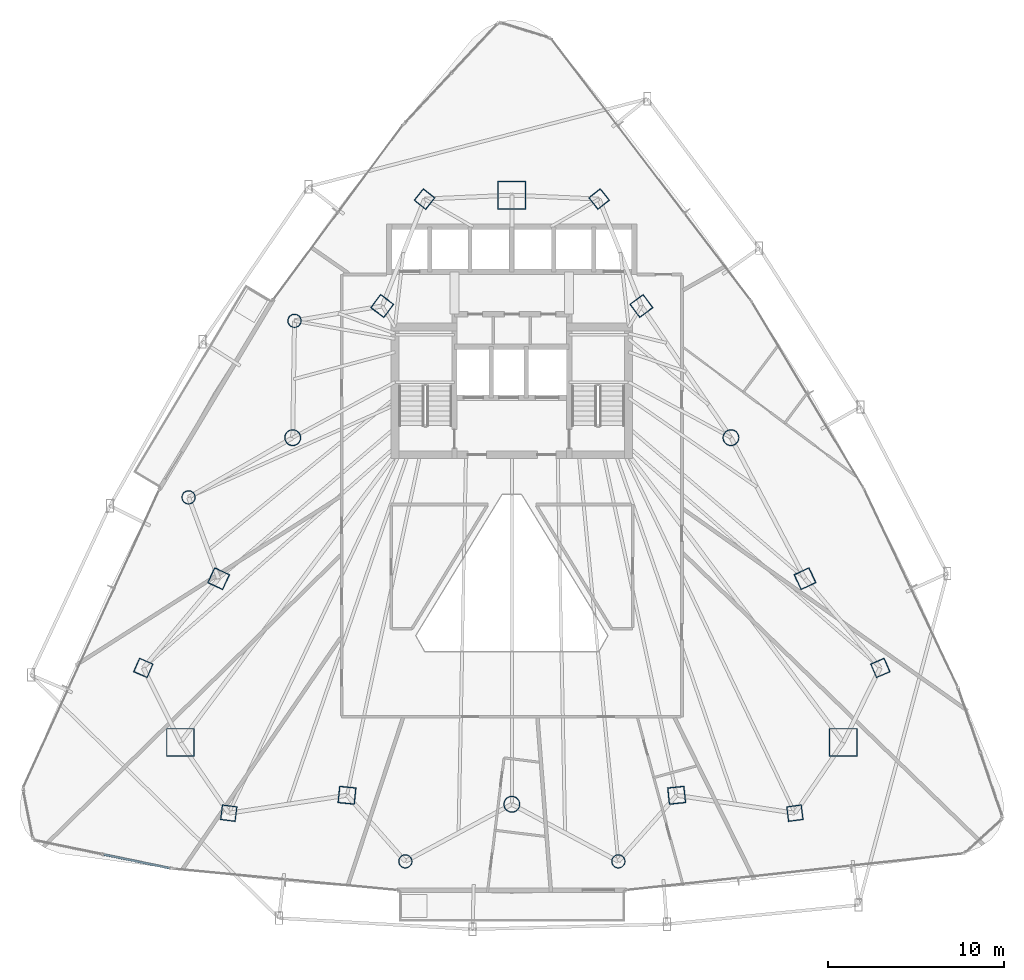
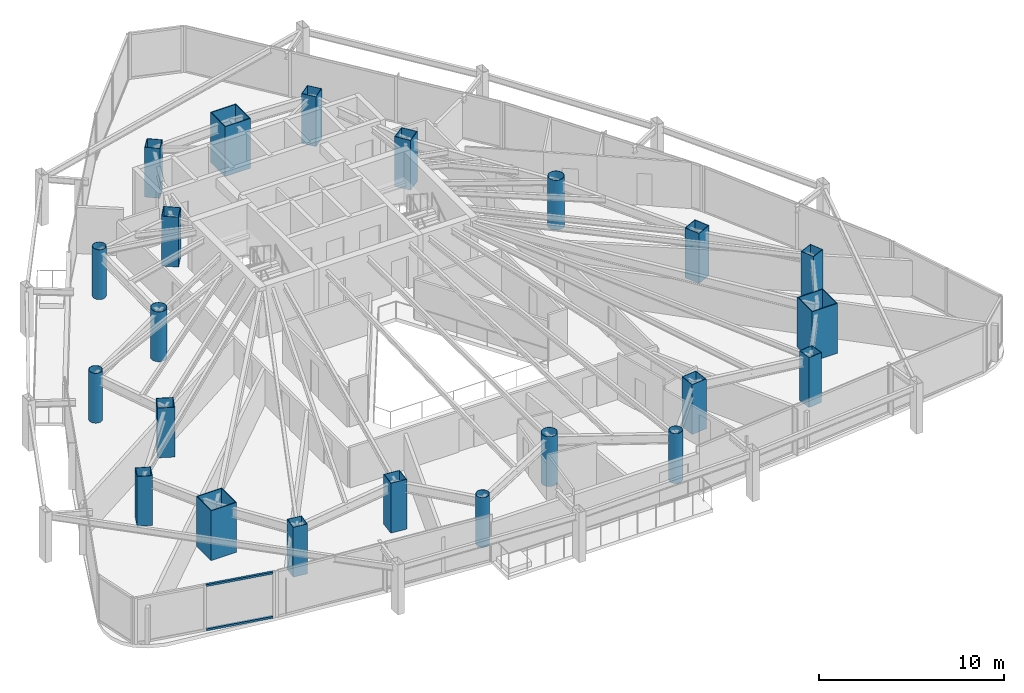
# One storey, part 1 of 34: 22 columns, 2 members, 1 element without a shape of its own.
"""IFC4 building model written with IfcOpenShell, lengths in metres."""

from ifc_helpers import new_model, si_unit, direction, frame, origin, origin_2d, place, context, subcontext, project, spatial, hollow_rectangle, hollow_circle, extrude, material, layer, layer_set, material_profile, profile_set, type_object, element, aggregate, save


model = new_model("IFC4")

# Units and contexts
model_context = context("Model", 3, precision=1e-05, world=origin(), true_north=direction((0.0, 1.0)))
body_context = subcontext(model_context, "Body", "Model", "MODEL_VIEW")
ifc_project = project(units=[si_unit("LENGTHUNIT", "METRE"), si_unit("AREAUNIT", "SQUARE_METRE"), si_unit("VOLUMEUNIT", "CUBIC_METRE"), si_unit("PLANEANGLEUNIT", "RADIAN"), si_unit("MASSUNIT", "GRAM", prefix="KILO")], contexts=[model_context])

# Site, building, storey
site_placement = place(None, origin())
site = spatial("IfcSite", under=ifc_project, at=site_placement, CompositionType="ELEMENT")
building_placement = place(site_placement, origin())
building = spatial("IfcBuilding", under=site, at=building_placement, Name="Orvanel Arch Residences", CompositionType="ELEMENT")
storey_placement = place(building_placement, frame((0.0, 0.0, 64.25)))
storey = spatial("IfcBuildingStorey", under=building, at=storey_placement, Name="L17", CompositionType="ELEMENT", Elevation=64.25)

# Columns
ifc_material_1 = material(Name="Structural steel AS/NZS 1163 C450L0 (Grade 450)", Category="steel")
ifc_material_profile_1 = material_profile(ifc_material_1, hollow_circle(Radius=0.381103515625, WallThickness=0.02197265625, at=origin_2d()), Name="CHS762x22")
ifc_profile_set_1 = profile_set([ifc_material_profile_1], Name="Structural steel AS/NZS 1163 C450L0 (Grade 450)")
column_type_1 = type_object("IfcColumnType", Name="CC-762", PredefinedType="COLUMN", material=ifc_profile_set_1)
for number, where, z_axis, x_axis, name in (
    (1, (20.669921875, 34.27099609375, 0.0), (0.0, 0.0, 1.0), (1.0, 0.0, 0.0), "L17 Low-Rise Buttress Tube Column 01"),
    (2, (14.662109375, 24.256103515625, 0.0), (0.0, 0.0, 1.0), (1.0, 0.0, 0.0), "L17 Low-Rise Buttress Tube Column 02"),
    (3, (26.9580078125, 3.60498046875, 0.0), (0.0, 0.0, 1.0), (1.0, 0.0, 0.0), "L17 Low-Rise Buttress Tube Column 03"),
    (4, (39.0419921875, 3.60498046875, 0.0), (0.0, 0.0, 1.0), (1.0, 0.0, 0.0), "L17 Low-Rise Buttress Tube Column 04"),
):
    element("IfcColumn", number, at=place(storey_placement, frame(where, z_axis=z_axis, x_axis=x_axis)), inside=storey, type_object=column_type_1, Name=name, PredefinedType="COLUMN", context=body_context, shape_type="SweptSolid", body=[
        extrude(hollow_circle(Radius=0.381103515625, WallThickness=0.02197265625, at=origin_2d()), origin(), (0.0, 0.0, 1.0), 3.300048828125),
    ])
ifc_material_profile_2 = material_profile(ifc_material_1, hollow_circle(Radius=0.45703125, WallThickness=0.02490234375, at=origin_2d()), Name="CHS914x25")
ifc_profile_set_2 = profile_set([ifc_material_profile_2], Name="Structural steel AS/NZS 1163 C450L0 (Grade 450)")
column_type_2 = type_object("IfcColumnType", Name="CC-914", PredefinedType="COLUMN", material=ifc_profile_set_2)
for number, where, z_axis, x_axis, name in (
    (5, (20.569091796875, 27.64111328125, 0.0), (0.0, 0.0, 1.0), (1.0, 0.0, 0.0), "L17 High-Rise Tube Column 02"),
    (6, (33.0, 6.843994140625, 0.0), (0.0, 0.0, 1.0), (1.0, 0.0, 0.0), "L17 High-Rise Tube Column 05"),
    (7, (45.430908203125, 27.64111328125, 0.0), (0.0, 0.0, 1.0), (1.0, 0.0, 0.0), "L17 High-Rise Tube Column 08"),
):
    element("IfcColumn", number, at=place(storey_placement, frame(where, z_axis=z_axis, x_axis=x_axis)), inside=storey, type_object=column_type_2, Name=name, PredefinedType="COLUMN", context=body_context, shape_type="SweptSolid", body=[
        extrude(hollow_circle(Radius=0.45703125, WallThickness=0.02490234375, at=origin_2d()), origin(), (0.0, 0.0, 1.0), 3.300048828125),
    ])
ifc_material_2 = material(Name="Structural steel AS/NZS 3678 Grade 450", Category="steel")
ifc_material_profile_3 = material_profile(ifc_material_2, hollow_rectangle(XDim=1.60009765625, YDim=1.60009765625, WallThickness=0.050048828125, at=origin_2d()), Name="BOX1600x1600x50")
ifc_profile_set_3 = profile_set([ifc_material_profile_3], Name="Structural steel AS/NZS 3678 Grade 450")
column_type_3 = type_object("IfcColumnType", Name="MC-1600", PredefinedType="COLUMN", material=ifc_profile_set_3)
for number, where, z_axis, x_axis, name in (
    (8, (33.0, 41.39794921875, 0.0), (0.0, 0.0, 1.0), (1.0, 0.0, 0.0), "L17 Corner Mega-Column 1"),
    (9, (14.198974609375, 10.35107421875, 0.0), (0.0, 0.0, 1.0), (1.0, 0.0, 0.0), "L17 Corner Mega-Column 2"),
    (10, (51.801025390625, 10.35107421875, 0.0), (0.0, 0.0, 1.0), (1.0, 0.0, 0.0), "L17 Corner Mega-Column 3"),
):
    element("IfcColumn", number, at=place(storey_placement, frame(where, z_axis=z_axis, x_axis=x_axis)), inside=storey, type_object=column_type_3, Name=name, PredefinedType="COLUMN", context=body_context, shape_type="SweptSolid", body=[
        extrude(hollow_rectangle(XDim=1.60009765625, YDim=1.60009765625, WallThickness=0.050048828125, at=origin_2d()), origin(), (0.0, 0.0, 1.0), 3.300048828125),
    ])
ifc_material_3 = material(Name="Structural steel AS/NZS 3678 Grade 350", Category="steel")
ifc_material_profile_4 = material_profile(ifc_material_3, hollow_rectangle(XDim=0.85009765625, YDim=0.85009765625, WallThickness=0.028076171875, at=origin_2d()), Name="BOX850x850x28")
ifc_profile_set_4 = profile_set([ifc_material_profile_4], Name="Structural steel AS/NZS 3678 Grade 350")
column_type_4 = type_object("IfcColumnType", Name="TC-850", PredefinedType="COLUMN", material=ifc_profile_set_4)
for number, where, z_axis, x_axis, name in (
    (11, (28.050048828125, 41.177978515625, 0.0), (0.0, 0.0, 1.0), (0.623879596709, 0.781520472419, 0.0), "L17 Mid-Rise Buttress Tube Column 01"),
    (12, (12.094970703125, 14.580078125, 0.0), (0.0, 0.0, 1.0), (0.397147890635, 0.917754625684, 0.0), "L17 Mid-Rise Buttress Tube Column 02"),
    (13, (16.94091796875, 6.339111328125, 0.0), (0.0, 0.0, 1.0), (-0.99189444259, 0.127064608601, 0.0), "L17 Mid-Rise Buttress Tube Column 03"),
    (14, (49.05908203125, 6.339111328125, 0.0), (0.0, 0.0, 1.0), (0.99189444259, 0.127064608601, 0.0), "L17 Mid-Rise Buttress Tube Column 04"),
    (15, (53.905029296875, 14.580078125, 0.0), (0.0, 0.0, 1.0), (-0.397147890635, 0.917754625684, 0.0), "L17 Mid-Rise Buttress Tube Column 05"),
    (16, (37.949951171875, 41.177978515625, 0.0), (0.0, 0.0, 1.0), (-0.623879596709, 0.781520472419, 0.0), "L17 Mid-Rise Buttress Tube Column 06"),
):
    element("IfcColumn", number, at=place(storey_placement, frame(where, z_axis=z_axis, x_axis=x_axis)), inside=storey, type_object=column_type_4, Name=name, PredefinedType="COLUMN", context=body_context, shape_type="SweptSolid", body=[
        extrude(hollow_rectangle(XDim=0.85009765625, YDim=0.85009765625, WallThickness=0.028076171875, at=origin_2d()), origin(), (0.0, 0.0, 1.0), 3.300048828125),
    ])
ifc_material_profile_5 = material_profile(ifc_material_3, hollow_rectangle(XDim=0.949951171875, YDim=0.949951171875, WallThickness=0.031982421875, at=origin_2d()), Name="BOX950x950x32")
ifc_profile_set_5 = profile_set([ifc_material_profile_5], Name="Structural steel AS/NZS 3678 Grade 350")
column_type_5 = type_object("IfcColumnType", Name="TC-950", PredefinedType="COLUMN", material=ifc_profile_set_5)
for number, where, z_axis, x_axis, name in (
    (17, (25.64794921875, 35.113037109375, 0.0), (0.0, 0.0, 1.0), (0.600420225326, 0.799684658487, 0.0), "L17 High-Rise Tube Column 01"),
    (18, (16.366943359375, 19.64208984375, 0.0), (0.0, 0.0, 1.0), (0.422618261741, 0.906307787037, 0.0), "L17 High-Rise Tube Column 03"),
    (19, (23.64892578125, 7.35498046875, 0.0), (0.0, 0.0, 1.0), (-0.994880708829, 0.101056297183, 0.0), "L17 High-Rise Tube Column 04"),
    (20, (42.35107421875, 7.35498046875, 0.0), (0.0, 0.0, 1.0), (0.994880708829, 0.101056297183, 0.0), "L17 High-Rise Tube Column 06"),
    (21, (49.633056640625, 19.64208984375, 0.0), (0.0, 0.0, 1.0), (-0.422618261741, 0.906307787037, 0.0), "L17 High-Rise Tube Column 07"),
    (22, (40.35205078125, 35.113037109375, 0.0), (0.0, 0.0, 1.0), (-0.600420225326, 0.799684658487, 0.0), "L17 High-Rise Tube Column 09"),
):
    element("IfcColumn", number, at=place(storey_placement, frame(where, z_axis=z_axis, x_axis=x_axis)), inside=storey, type_object=column_type_5, Name=name, PredefinedType="COLUMN", context=body_context, shape_type="SweptSolid", body=[
        extrude(hollow_rectangle(XDim=0.949951171875, YDim=0.949951171875, WallThickness=0.031982421875, at=origin_2d()), origin(), (0.0, 0.0, 1.0), 3.300048828125),
    ])

# Curtain wall, members
ifc_material_4 = material(Name="Bronze-anodised aluminium AA6063-T6", Category="aluminium")
ifc_layer = layer(ifc_material_4, 0.18994140625)
ifc_layer_set = layer_set([ifc_layer], Name="Bronze-anodised aluminium AA6063-T6")
curtain_wall_type = type_object("IfcCurtainWallType", Name="CW5-CRN-SYS", PredefinedType="NOTDEFINED", material=ifc_layer_set)
curtain_wall_placement = place(storey_placement, origin())
curtain_wall = element("IfcCurtainWall", 23, at=curtain_wall_placement, inside=storey, type_object=curtain_wall_type, Name="L17 CW5-CRN-SYS Unitised Curtain Wall", PredefinedType="NOTDEFINED")
ifc_material_profile_6 = material_profile(ifc_material_4, hollow_rectangle(XDim=0.1298828125, YDim=0.1298828125, WallThickness=0.00439453125, at=origin_2d()), Name="ALU130x130x4.5")
ifc_profile_set_6 = profile_set([ifc_material_profile_6], Name="Bronze-anodised aluminium AA6063-T6")
member_type = type_object("IfcMemberType", Name="TRN-130x130", PredefinedType="USERDEFINED", material=ifc_profile_set_6)
member_1_placement = place(storey_placement, frame((9.8740234375, 3.99072265625, 0.06494140625), z_axis=(0.979330277509, -0.202267663144, 0.0), x_axis=(0.202267663144, 0.979330277509, 0.0)))
member_1 = element("IfcMember", 24, at=member_1_placement, type_object=member_type, Name="CW-S5 transom 2.1", ObjectType="TRANSOM", PredefinedType="USERDEFINED", context=body_context, shape_type="SweptSolid", body=[
    extrude(hollow_rectangle(XDim=0.1298828125, YDim=0.1298828125, WallThickness=0.00439453125, at=origin_2d()), origin(), (0.0, 0.0, 1.0), 3.798583984375),
])
member_2_placement = place(storey_placement, frame((9.8740234375, 3.99072265625, 2.9951171875), z_axis=(0.979330277509, -0.202267663144, 0.0), x_axis=(0.202267663144, 0.979330277509, 0.0)))
member_2 = element("IfcMember", 25, at=member_2_placement, type_object=member_type, Name="CW-S5 transom 2.2", ObjectType="TRANSOM", PredefinedType="USERDEFINED", context=body_context, shape_type="SweptSolid", body=[
    extrude(hollow_rectangle(XDim=0.1298828125, YDim=0.1298828125, WallThickness=0.00439453125, at=origin_2d()), origin(), (0.0, 0.0, 1.0), 3.798583984375),
])
aggregate(curtain_wall, [member_1, member_2])

save(model, "model.ifc")
